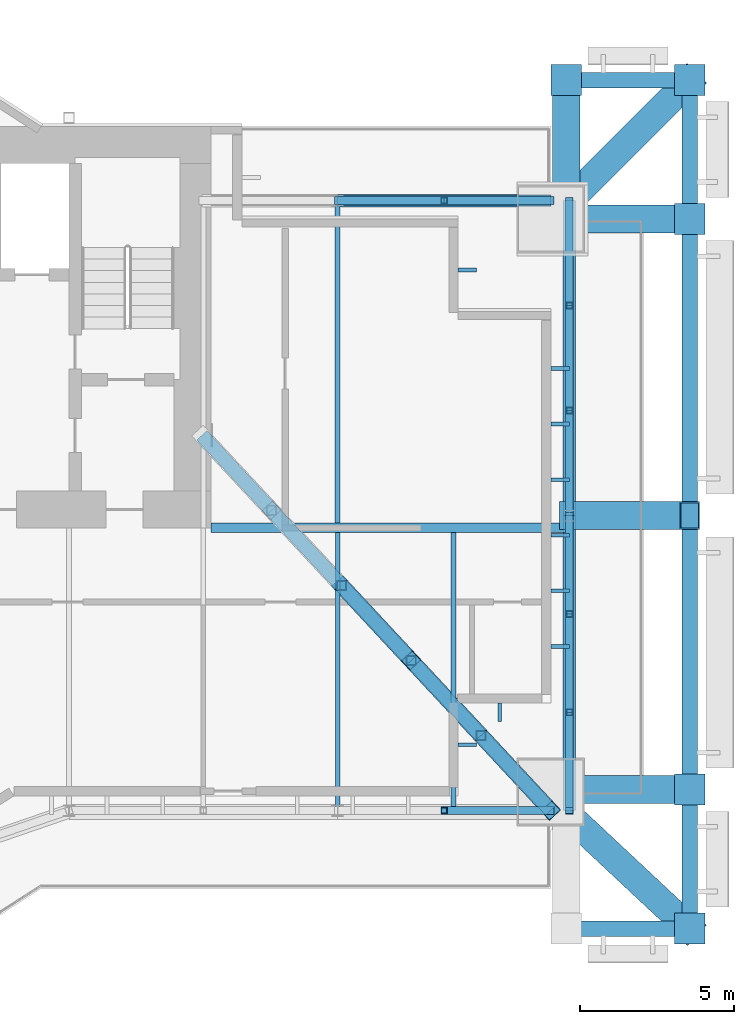
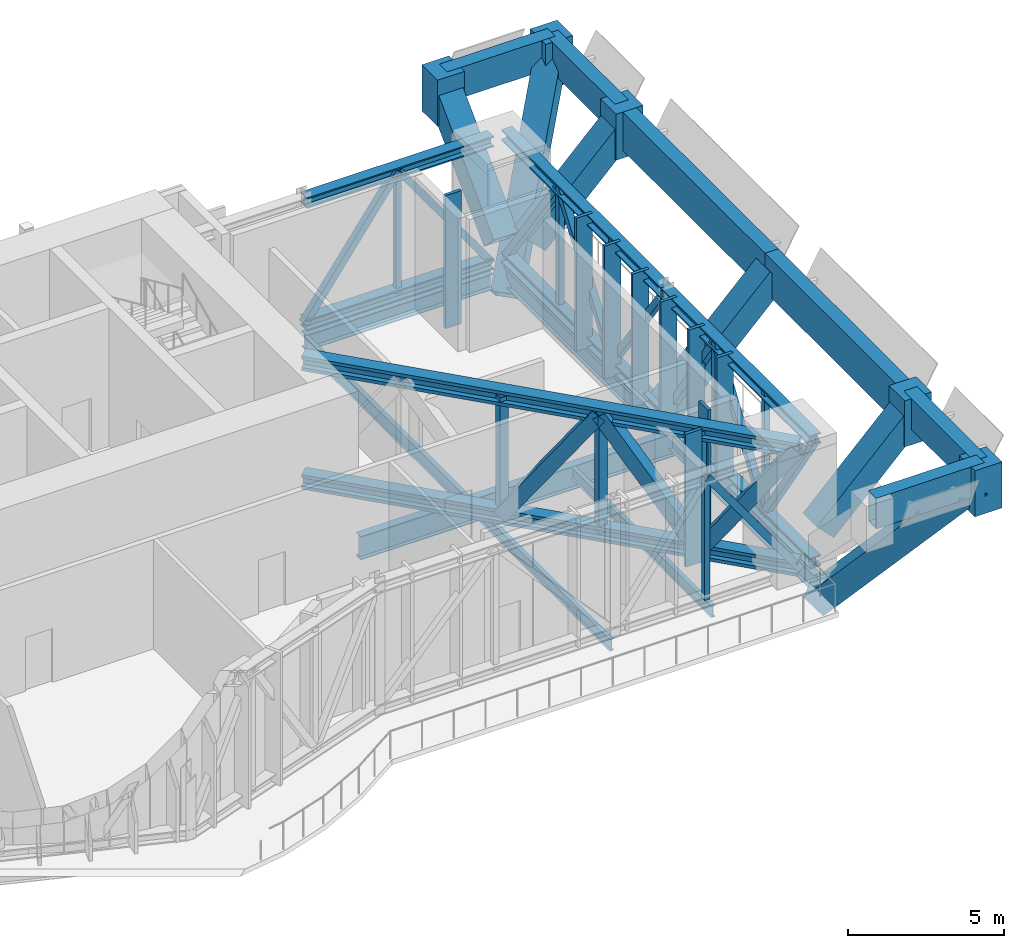
# One storey, part 9 of 20: 49 members, 13 beams, 1 element without a shape of its own.
"""IFC4 building model written with IfcOpenShell, lengths in metres."""

import ifcopenshell
import ifcopenshell.guid

model = None  # the IFC model being written
_history = None  # IfcOwnerHistory: only IFC2X3 demands one
_inside = {}  # id of a spatial element -> (the spatial element, [elements in it])
_under = {}  # id of a project, library or spatial element -> (it, [spatial elements below it])
_declared = {}  # id of a project -> (the project, [libraries it declares])
_typed = {}  # id of a type object -> (the type object, [elements of that type])
_made_of = {}  # id of a material, layer set ... -> (it, [elements and type objects made of it])


def new_model(schema):
    """Start an empty IFC model of exactly this schema.

    Asked for "IFC4X3", IfcOpenShell would pick the latest addendum, in which some entities
    have other attributes; the version numbers below select the first issue.
    IFC2X3 requires an IfcOwnerHistory on every rooted entity: one is made here for all.
    """
    global model, _history
    if schema == "IFC4X3":
        model = ifcopenshell.file(schema_version=(4, 3, 0, 0))
    else:
        model = ifcopenshell.file(schema=schema)
    _inside.clear()
    _under.clear()
    _declared.clear()
    _typed.clear()
    _made_of.clear()
    _history = None
    if model.schema == "IFC2X3":
        org = make("IfcOrganization", Name="unknown")
        user = make(
            "IfcPersonAndOrganization",
            ThePerson=make("IfcPerson", FamilyName="unknown"),
            TheOrganization=org,
        )
        app = make(
            "IfcApplication",
            ApplicationDeveloper=org,
            Version="unknown",
            ApplicationFullName="unknown",
            ApplicationIdentifier="unknown",
        )
        _history = make(
            "IfcOwnerHistory",
            OwningUser=user,
            OwningApplication=app,
            ChangeAction="ADDED",
            CreationDate=0,
        )
    return model


def make(cls, **values):
    """One entity of the class cls with the attributes given. An attribute that is None is left unset."""
    return model.create_entity(
        cls, **{name: value for name, value in values.items() if value is not None}
    )


def rooted(cls, **values):
    """An entity with a GlobalId (a new one), such as an element, a storey or a relation."""
    return make(cls, GlobalId=ifcopenshell.guid.new(), OwnerHistory=_history, **values)


def si_unit(unit_type, name, prefix=None):
    """IfcSIUnit, for example si_unit("LENGTHUNIT", "METRE", prefix="MILLI")."""
    return make("IfcSIUnit", UnitType=unit_type, Prefix=prefix, Name=name)


def assignment(units):
    """IfcUnitAssignment: the units of a project."""
    return None if units is None else make("IfcUnitAssignment", Units=units)


def point(xyz):
    """IfcCartesianPoint."""
    return None if xyz is None else make("IfcCartesianPoint", Coordinates=xyz)


def direction(xyz):
    """IfcDirection."""
    return None if xyz is None else make("IfcDirection", DirectionRatios=xyz)


def frame(location, z_axis=None, x_axis=None):
    """IfcAxis2Placement3D, a coordinate frame: its origin and axes. An axis left out is left unset."""
    return make(
        "IfcAxis2Placement3D",
        Location=point(location),
        Axis=direction(z_axis),
        RefDirection=direction(x_axis),
    )


def frame_2d(location, x_axis=None):
    """IfcAxis2Placement2D, a coordinate frame in the plane: its origin and x axis."""
    return make(
        "IfcAxis2Placement2D", Location=point(location), RefDirection=direction(x_axis)
    )


def origin():
    """The frame at (0, 0, 0) with its axes left unset."""
    return frame((0.0, 0.0, 0.0))


def origin_2d():
    """The frame at (0, 0) in the plane with its x axis left unset."""
    return frame_2d((0.0, 0.0))


def place(relative_to, where):
    """IfcLocalPlacement: puts the frame where relative to a parent placement (None: the world)."""
    return make(
        "IfcLocalPlacement", PlacementRelTo=relative_to, RelativePlacement=where
    )


def context(
    kind, dimensions, precision=None, world=None, true_north=None, identifier=None
):
    """IfcGeometricRepresentationContext, for example the 3D "Model" context."""
    return make(
        "IfcGeometricRepresentationContext",
        ContextIdentifier=identifier,
        ContextType=kind,
        CoordinateSpaceDimension=dimensions,
        Precision=precision,
        WorldCoordinateSystem=world,
        TrueNorth=true_north,
    )


def subcontext(parent, identifier, kind, view, scale=None):
    """IfcGeometricRepresentationSubContext, for example "Body" below "Model"."""
    return make(
        "IfcGeometricRepresentationSubContext",
        ContextIdentifier=identifier,
        ContextType=kind,
        ParentContext=parent,
        TargetScale=scale,
        TargetView=view,
    )


def project(units=None, contexts=None):
    """IfcProject with its units and contexts."""
    return rooted(
        "IfcProject",
        Name="project",
        RepresentationContexts=contexts,
        UnitsInContext=assignment(units),
    )


def spatial(cls, under=None, at=None, **own):
    """A site, building, storey or space (cls), placed at a placement, below another one or the project."""
    s = rooted(cls, ObjectPlacement=at, **own)
    if under is not None:
        _under.setdefault(under.id(), (under, []))[1].append(s)
    return s


def profile(cls, at=None, kind="AREA", **sizes):
    """A parametric profile (cls). Its sizes go by their IFC names, for example OverallWidth=200.0."""
    return make(cls, ProfileType=kind, Position=at, **sizes)


def rectangle(**sizes):
    """IfcRectangleProfileDef."""
    return profile("IfcRectangleProfileDef", **sizes)


def hollow_rectangle(**sizes):
    """IfcRectangleHollowProfileDef."""
    return profile("IfcRectangleHollowProfileDef", **sizes)


def i_section(**sizes):
    """IfcIShapeProfileDef."""
    return profile("IfcIShapeProfileDef", **sizes)


def extrude(swept, where, along, depth):
    """IfcExtrudedAreaSolid: the profile swept, set in the frame where, extruded along a direction by depth."""
    return make(
        "IfcExtrudedAreaSolid",
        SweptArea=swept,
        Position=where,
        ExtrudedDirection=direction(along),
        Depth=depth,
    )


def shape(context_of_items, identifier, shape_type, items):
    """IfcShapeRepresentation: the items that make up one representation, for example the "Body"."""
    return make(
        "IfcShapeRepresentation",
        ContextOfItems=context_of_items,
        RepresentationIdentifier=identifier,
        RepresentationType=shape_type,
        Items=items,
    )


def material(Name=None, Category=None):
    """IfcMaterial."""
    return make("IfcMaterial", Name=Name, Category=Category)


def material_profile(
    of_material, cross_section, Name=None, Category=None, Priority=None
):
    """IfcMaterialProfile: a cross section and its material."""
    return make(
        "IfcMaterialProfile",
        Name=Name,
        Material=of_material,
        Profile=cross_section,
        Priority=Priority,
        Category=Category,
    )


def profile_set(profiles, Name=None, composite=None):
    """IfcMaterialProfileSet."""
    return make(
        "IfcMaterialProfileSet",
        Name=Name,
        MaterialProfiles=profiles,
        CompositeProfile=composite,
    )


def made_of(thing, what):
    """Note that an element or type object is made of a material, layer set ...; save() writes the relation."""
    if what is not None:
        _made_of.setdefault(what.id(), (what, []))[1].append(thing)
    return thing


def type_object(cls, material=None, **own):
    """A type object (cls), such as IfcWallType, which elements share."""
    return made_of(rooted(cls, **own), material)


def element(
    cls,
    number,
    at=None,
    inside=None,
    cuts=None,
    type_object=None,
    material=None,
    context=None,
    identifier="Body",
    shape_type=None,
    held_by="IfcProductDefinitionShape",
    body=None,
    shapes=None,
    **own,
):
    """One element of the class cls, such as IfcWall. Its Tag is "e" and its number.

    at: its placement. inside: the storey or other place that contains it. cuts: it is an
    opening in that element (IfcRelVoidsElement). A single representation is given by context,
    identifier, shape_type and body (its items); several are given by shapes. held_by: the class
    of the entity that holds the representations. save() writes the other relations.
    """
    e = rooted(cls, Tag="e%d" % number, ObjectPlacement=at, **own)
    if body is not None:
        shapes = [shape(context, identifier, shape_type, body)]
    if shapes is not None:
        e.Representation = make(held_by, Representations=shapes)
    if inside is not None:
        _inside.setdefault(inside.id(), (inside, []))[1].append(e)
    if cuts is not None:
        rooted(
            "IfcRelVoidsElement", RelatingBuildingElement=cuts, RelatedOpeningElement=e
        )
    if type_object is not None:
        _typed.setdefault(type_object.id(), (type_object, []))[1].append(e)
    return made_of(e, material)


def aggregate(whole, parts):
    """IfcRelAggregates: a whole, such as a stair, and the parts it consists of."""
    return rooted("IfcRelAggregates", RelatingObject=whole, RelatedObjects=parts)


def save(model, path):
    """Write the relations noted so far, then the file.

    IfcRelAggregates (storeys below a building ...), IfcRelContainedInSpatialStructure (elements
    in a storey), IfcRelDefinesByType, IfcRelAssociatesMaterial and IfcRelDeclares: one each for
    every whole, place, type object, material and project.
    """
    for whole, parts in _under.values():
        aggregate(whole, parts)
    for where, things in _inside.values():
        rooted(
            "IfcRelContainedInSpatialStructure",
            RelatedElements=things,
            RelatingStructure=where,
        )
    for kind, things in _typed.values():
        rooted("IfcRelDefinesByType", RelatedObjects=things, RelatingType=kind)
    for what, things in _made_of.values():
        rooted("IfcRelAssociatesMaterial", RelatedObjects=things, RelatingMaterial=what)
    for by, libraries in _declared.values():
        rooted("IfcRelDeclares", RelatingContext=by, RelatedDefinitions=libraries)
    model.write(path)


model = new_model("IFC4")

# Units and contexts
model_context = context("Model", 3, precision=1e-05, world=origin(), true_north=direction((0.0, 1.0)))
body_context = subcontext(model_context, "Body", "Model", "MODEL_VIEW")
ifc_project = project(units=[si_unit("LENGTHUNIT", "METRE"), si_unit("AREAUNIT", "SQUARE_METRE"), si_unit("VOLUMEUNIT", "CUBIC_METRE"), si_unit("PLANEANGLEUNIT", "RADIAN"), si_unit("MASSUNIT", "GRAM", prefix="KILO")], contexts=[model_context])

# Site, building, storey
site_placement = place(None, origin())
site = spatial("IfcSite", under=ifc_project, at=site_placement, CompositionType="ELEMENT")
building_placement = place(site_placement, origin())
building = spatial("IfcBuilding", under=site, at=building_placement, Name="Bicima Exchange Tower", CompositionType="ELEMENT")
storey_placement = place(building_placement, frame((0.0, 0.0, 342.5)))
storey = spatial("IfcBuildingStorey", under=building, at=storey_placement, Name="L77", CompositionType="ELEMENT", Elevation=342.5)

# Curtain wall, members
ifc_material_1 = material(Name="Anodised bronze aluminium", Category="aluminium")
curtain_wall_type = type_object("IfcCurtainWallType", Name="Band blade screen", PredefinedType="NOTDEFINED", material=ifc_material_1)
curtain_wall_placement = place(storey_placement, origin())
curtain_wall = element("IfcCurtainWall", 1, at=curtain_wall_placement, inside=storey, type_object=curtain_wall_type, Name="Band blade screen L77", PredefinedType="NOTDEFINED")
ifc_material_profile_1 = material_profile(ifc_material_1, rectangle(XDim=0.60009765625, YDim=0.1201171875, at=origin_2d()))
ifc_profile_set_1 = profile_set([ifc_material_profile_1], Name="Anodised bronze aluminium")
member_type_1 = type_object("IfcMemberType", Name="Band blade fin 600 x 120", PredefinedType="USERDEFINED", material=ifc_profile_set_1)
member_1_placement = place(storey_placement, frame((33.300048828125, -16.837890625, 0.0), z_axis=(0.0, 0.0, 1.0), x_axis=(-1.0, 0.0, 0.0)))
member_1 = element("IfcMember", 2, at=member_1_placement, type_object=member_type_1, Name="Band blade fin 1", ObjectType="FIN", PredefinedType="USERDEFINED", context=body_context, shape_type="SweptSolid", body=[
    extrude(rectangle(XDim=0.60009765625, YDim=0.1201171875, at=origin_2d()), origin(), (0.0, 0.0, 1.0), 5.199951171875),
])
member_2_placement = place(storey_placement, frame((33.300048828125, -15.0380859375, 0.0), z_axis=(0.0, 0.0, 1.0), x_axis=(-1.0, 0.0, 0.0)))
member_2 = element("IfcMember", 3, at=member_2_placement, type_object=member_type_1, Name="Band blade fin 2", ObjectType="FIN", PredefinedType="USERDEFINED", context=body_context, shape_type="SweptSolid", body=[
    extrude(rectangle(XDim=0.60009765625, YDim=0.1201171875, at=origin_2d()), origin(), (0.0, 0.0, 1.0), 5.199951171875),
])
member_3_placement = place(storey_placement, frame((33.300048828125, -13.238037109375, 0.0), z_axis=(0.0, 0.0, 1.0), x_axis=(-1.0, 0.0, 0.0)))
member_3 = element("IfcMember", 4, at=member_3_placement, type_object=member_type_1, Name="Band blade fin 3", ObjectType="FIN", PredefinedType="USERDEFINED", context=body_context, shape_type="SweptSolid", body=[
    extrude(rectangle(XDim=0.60009765625, YDim=0.1201171875, at=origin_2d()), origin(), (0.0, 0.0, 1.0), 5.199951171875),
])
member_4_placement = place(storey_placement, frame((33.300048828125, -11.43798828125, 0.0), z_axis=(0.0, 0.0, 1.0), x_axis=(-1.0, 0.0, 0.0)))
member_4 = element("IfcMember", 5, at=member_4_placement, type_object=member_type_1, Name="Band blade fin 4", ObjectType="FIN", PredefinedType="USERDEFINED", context=body_context, shape_type="SweptSolid", body=[
    extrude(rectangle(XDim=0.60009765625, YDim=0.1201171875, at=origin_2d()), origin(), (0.0, 0.0, 1.0), 5.199951171875),
])
member_5_placement = place(storey_placement, frame((33.300048828125, -9.637939453125, 0.0), z_axis=(0.0, 0.0, 1.0), x_axis=(-1.0, 0.0, 0.0)))
member_5 = element("IfcMember", 6, at=member_5_placement, type_object=member_type_1, Name="Band blade fin 5", ObjectType="FIN", PredefinedType="USERDEFINED", context=body_context, shape_type="SweptSolid", body=[
    extrude(rectangle(XDim=0.60009765625, YDim=0.1201171875, at=origin_2d()), origin(), (0.0, 0.0, 1.0), 5.199951171875),
])
member_6_placement = place(storey_placement, frame((33.300048828125, -7.837890625, 0.0), z_axis=(0.0, 0.0, 1.0), x_axis=(-1.0, 0.0, 0.0)))
member_6 = element("IfcMember", 7, at=member_6_placement, type_object=member_type_1, Name="Band blade fin 6", ObjectType="FIN", PredefinedType="USERDEFINED", context=body_context, shape_type="SweptSolid", body=[
    extrude(rectangle(XDim=0.60009765625, YDim=0.1201171875, at=origin_2d()), origin(), (0.0, 0.0, 1.0), 5.199951171875),
])
member_7_placement = place(storey_placement, frame((30.300048828125, -4.64990234375, 0.0), z_axis=(0.0, 0.0, 1.0), x_axis=(-1.0, 0.0, 0.0)))
member_7 = element("IfcMember", 8, at=member_7_placement, type_object=member_type_1, Name="Band blade fin 7", ObjectType="FIN", PredefinedType="USERDEFINED", context=body_context, shape_type="SweptSolid", body=[
    extrude(rectangle(XDim=0.60009765625, YDim=0.1201171875, at=origin_2d()), origin(), (0.0, 0.0, 1.0), 5.199951171875),
])
member_8_placement = place(storey_placement, frame((30.300048828125, -20.02587890625, 0.0), z_axis=(0.0, 0.0, 1.0), x_axis=(-1.0, 0.0, 0.0)))
member_8 = element("IfcMember", 9, at=member_8_placement, type_object=member_type_1, Name="Band blade fin 51", ObjectType="FIN", PredefinedType="USERDEFINED", context=body_context, shape_type="SweptSolid", body=[
    extrude(rectangle(XDim=0.60009765625, YDim=0.1201171875, at=origin_2d()), origin(), (0.0, 0.0, 1.0), 5.199951171875),
])
member_9_placement = place(storey_placement, frame((31.35009765625, -18.97607421875, 0.0), z_axis=(0.0, 0.0, 1.0), x_axis=(0.0, 1.0, 0.0)))
member_9 = element("IfcMember", 10, at=member_9_placement, type_object=member_type_1, Name="Band blade fin 52", ObjectType="FIN", PredefinedType="USERDEFINED", context=body_context, shape_type="SweptSolid", body=[
    extrude(rectangle(XDim=0.60009765625, YDim=0.1201171875, at=origin_2d()), origin(), (0.0, 0.0, 1.0), 5.199951171875),
])
aggregate(curtain_wall, [member_1, member_2, member_3, member_4, member_5, member_6, member_7, member_8, member_9])

# Beams
ifc_material_2 = material(Name="Steel ASTM A572 Gr 50", Category="steel")
ifc_material_profile_2 = material_profile(ifc_material_2, hollow_rectangle(XDim=0.5, YDim=1.199951171875, WallThickness=0.0400390625, at=origin_2d()))
ifc_profile_set_2 = profile_set([ifc_material_profile_2], Name="Steel ASTM A572 Gr 50")
beam_type_1 = type_object("IfcBeamType", Name="Belt girder BOX 500x1200x40", PredefinedType="BEAM", material=ifc_profile_set_2)
beam_1_placement = place(storey_placement, frame((33.5, -25.974853515625, 4.60009765625), z_axis=(1.0, 0.0, 0.0), x_axis=(0.0, 1.0, 0.0)))
element("IfcBeam", 11, at=beam_1_placement, inside=storey, type_object=beam_type_1, Name="Belt girder", PredefinedType="BEAM", context=body_context, shape_type="SweptSolid", body=[
    extrude(hollow_rectangle(XDim=0.5, YDim=1.199951171875, WallThickness=0.0400390625, at=origin_2d()), origin(), (0.0, 0.0, 1.0), 4.0),
])
for number, where, z_axis, x_axis, name in (
    (12, (37.5, -25.974853515625, 4.60009765625), (0.0, 1.0, 0.0), (-1.0, 0.0, 0.0), "Belt girder"),
    (13, (37.5, -3.0, 4.60009765625), (0.0, 1.0, 0.0), (-1.0, 0.0, 0.0), "Belt girder"),
):
    element("IfcBeam", number, at=place(storey_placement, frame(where, z_axis=z_axis, x_axis=x_axis)), inside=storey, type_object=beam_type_1, Name=name, PredefinedType="BEAM", context=body_context, shape_type="SweptSolid", body=[
        extrude(hollow_rectangle(XDim=0.5, YDim=1.199951171875, WallThickness=0.0400390625, at=origin_2d()), origin(), (0.0, 0.0, 1.0), 4.5),
    ])
beam_2_placement = place(storey_placement, frame((37.5, 1.5, 4.60009765625), z_axis=(-1.0, 0.0, 0.0), x_axis=(0.0, -1.0, 0.0)))
element("IfcBeam", 14, at=beam_2_placement, inside=storey, type_object=beam_type_1, Name="Belt girder", PredefinedType="BEAM", context=body_context, shape_type="SweptSolid", body=[
    extrude(hollow_rectangle(XDim=0.5, YDim=1.199951171875, WallThickness=0.0400390625, at=origin_2d()), origin(), (0.0, 0.0, 1.0), 4.0),
])
ifc_material_profile_3 = material_profile(ifc_material_2, hollow_rectangle(XDim=0.5, YDim=1.5, WallThickness=0.050048828125, at=origin_2d()))
ifc_profile_set_3 = profile_set([ifc_material_profile_3], Name="Steel ASTM A572 Gr 50")
beam_type_2 = type_object("IfcBeamType", Name="Belt girder BOX 500x1500x50", PredefinedType="BEAM", material=ifc_profile_set_3)
beam_3_placement = place(storey_placement, frame((37.5, -21.474853515625, 4.449951171875), z_axis=(0.0, 1.0, 0.0), x_axis=(-1.0, 0.0, 0.0)))
element("IfcBeam", 15, at=beam_3_placement, inside=storey, type_object=beam_type_2, Name="Belt girder", PredefinedType="BEAM", context=body_context, shape_type="SweptSolid", body=[
    extrude(hollow_rectangle(XDim=0.5, YDim=1.5, WallThickness=0.050048828125, at=origin_2d()), origin(), (0.0, 0.0, 1.0), 8.874755859375),
])
beam_4_placement = place(storey_placement, frame((37.5, -12.60009765625, 4.449951171875), z_axis=(0.0, 1.0, 0.0), x_axis=(-1.0, 0.0, 0.0)))
element("IfcBeam", 16, at=beam_4_placement, inside=storey, type_object=beam_type_2, Name="Belt girder", PredefinedType="BEAM", context=body_context, shape_type="SweptSolid", body=[
    extrude(hollow_rectangle(XDim=0.5, YDim=1.5, WallThickness=0.050048828125, at=origin_2d()), origin(), (0.0, 0.0, 1.0), 9.60009765625),
])

# Members
ifc_material_3 = material(Name="Steel ASTM A992 Gr 50", Category="steel")
ifc_material_profile_4 = material_profile(ifc_material_3, i_section(OverallWidth=0.406494140625, OverallDepth=0.41650390625, WebThickness=0.030029296875, FlangeThickness=0.048095703125, at=origin_2d()))
ifc_profile_set_4 = profile_set([ifc_material_profile_4], Name="Steel ASTM A992 Gr 50")
member_type_2 = type_object("IfcMemberType", Name="Belt truss chord W14x257", PredefinedType="CHORD", material=ifc_profile_set_4)
for number, where, z_axis, x_axis, name in (
    (17, (26.10009765625, -2.39990234375, 4.99169921875), (1.0, 0.0, 0.0), (0.0, 1.0, 0.0), "Top chord"),
    (18, (26.10009765625, -2.39990234375, 0.208251953125), (1.0, 0.0, 0.0), (0.0, 1.0, 0.0), "Bottom chord"),
):
    element("IfcMember", number, at=place(storey_placement, frame(where, z_axis=z_axis, x_axis=x_axis)), inside=storey, type_object=member_type_2, Name=name, PredefinedType="CHORD", context=body_context, shape_type="SweptSolid", body=[
        extrude(i_section(OverallWidth=0.406494140625, OverallDepth=0.41650390625, WebThickness=0.030029296875, FlangeThickness=0.048095703125, at=origin_2d()), origin(), (0.0, 0.0, 1.0), 6.89990234375),
    ])
for number, where, z_axis, x_axis, name in (
    (19, (33.60009765625, -2.39990234375, 4.99169921875), (0.0, -1.0, 0.0), (1.0, 0.0, 0.0), "Top chord"),
    (20, (33.60009765625, -2.39990234375, 0.208251953125), (0.0, -1.0, 0.0), (1.0, 0.0, 0.0), "Bottom chord"),
):
    element("IfcMember", number, at=place(storey_placement, frame(where, z_axis=z_axis, x_axis=x_axis)), inside=storey, type_object=member_type_2, Name=name, PredefinedType="CHORD", context=body_context, shape_type="SweptSolid", body=[
        extrude(i_section(OverallWidth=0.406494140625, OverallDepth=0.41650390625, WebThickness=0.030029296875, FlangeThickness=0.048095703125, at=origin_2d()), origin(), (0.0, 0.0, 1.0), 10.2001953125),
    ])
for number, where, z_axis, x_axis, name in (
    (21, (33.60009765625, -12.60009765625, 4.99169921875), (0.0, -1.0, 0.0), (1.0, 0.0, 0.0), "Top chord"),
    (22, (33.60009765625, -12.60009765625, 0.208251953125), (0.0, -1.0, 0.0), (1.0, 0.0, 0.0), "Bottom chord"),
):
    element("IfcMember", number, at=place(storey_placement, frame(where, z_axis=z_axis, x_axis=x_axis)), inside=storey, type_object=member_type_2, Name=name, PredefinedType="CHORD", context=body_context, shape_type="SweptSolid", body=[
        extrude(i_section(OverallWidth=0.406494140625, OverallDepth=0.41650390625, WebThickness=0.030029296875, FlangeThickness=0.048095703125, at=origin_2d()), origin(), (0.0, 0.0, 1.0), 9.553955078125),
    ])
ifc_material_profile_5 = material_profile(ifc_material_2, hollow_rectangle(XDim=0.25390625, YDim=0.25390625, WallThickness=0.01171875, at=origin_2d()))
ifc_profile_set_5 = profile_set([ifc_material_profile_5], Name="Steel ASTM A572 Gr 50")
member_type_3 = type_object("IfcMemberType", Name="Belt truss diagonal HSS10x10x1/2", PredefinedType="STRUT", material=ifc_profile_set_5)
for number, where, z_axis, x_axis, name in (
    (23, (29.550048828125, -22.154052734375, 4.99169921875), (0.584959927831, 0.0, -0.811062194182), (0.0, 1.0, 0.0), "Truss diagonal"),
    (24, (26.10009765625, -2.39990234375, 0.208251953125), (0.584959927831, 0.0, 0.811062194182), (0.0, 1.0, 0.0), "Truss diagonal"),
    (25, (29.550048828125, -2.39990234375, 4.99169921875), (0.584959927831, 0.0, -0.811062194182), (0.0, 1.0, 0.0), "Truss diagonal"),
):
    element("IfcMember", number, at=place(storey_placement, frame(where, z_axis=z_axis, x_axis=x_axis)), inside=storey, type_object=member_type_3, Name=name, PredefinedType="STRUT", context=body_context, shape_type="SweptSolid", body=[
        extrude(hollow_rectangle(XDim=0.25390625, YDim=0.25390625, WallThickness=0.01171875, at=origin_2d()), origin(), (0.0, 0.0, 1.0), 5.897705078125),
    ])
for number, where, z_axis, x_axis, name in (
    (26, (33.60009765625, -2.39990234375, 0.208251953125), (0.0, -0.579363528427, 0.815069262043), (1.0, 0.0, 0.0), "Truss diagonal"),
    (27, (33.60009765625, -5.800048828125, 4.99169921875), (0.0, -0.579335890956, -0.81508890647), (1.0, 0.0, 0.0), "Truss diagonal"),
    (28, (33.60009765625, -9.199951171875, 0.208251953125), (0.0, -0.579363528427, 0.815069262043), (1.0, 0.0, 0.0), "Truss diagonal"),
):
    element("IfcMember", number, at=place(storey_placement, frame(where, z_axis=z_axis, x_axis=x_axis)), inside=storey, type_object=member_type_3, Name=name, PredefinedType="STRUT", context=body_context, shape_type="SweptSolid", body=[
        extrude(hollow_rectangle(XDim=0.25390625, YDim=0.25390625, WallThickness=0.01171875, at=origin_2d()), origin(), (0.0, 0.0, 1.0), 5.86865234375),
    ])
for number, where, z_axis, x_axis, name in (
    (29, (33.60009765625, -12.60009765625, 0.208251953125), (0.0, -0.554170658991, 0.832403075867), (1.0, 0.0, 0.0), "Truss diagonal"),
    (30, (33.60009765625, -15.78466796875, 4.99169921875), (0.0, -0.554170658991, -0.832403075867), (1.0, 0.0, 0.0), "Truss diagonal"),
    (31, (33.60009765625, -18.96923828125, 0.208251953125), (0.0, -0.554200095395, 0.83238347789), (1.0, 0.0, 0.0), "Truss diagonal"),
):
    element("IfcMember", number, at=place(storey_placement, frame(where, z_axis=z_axis, x_axis=x_axis)), inside=storey, type_object=member_type_3, Name=name, PredefinedType="STRUT", context=body_context, shape_type="SweptSolid", body=[
        extrude(hollow_rectangle(XDim=0.25390625, YDim=0.25390625, WallThickness=0.01171875, at=origin_2d()), origin(), (0.0, 0.0, 1.0), 5.74658203125),
    ])
ifc_material_profile_6 = material_profile(ifc_material_2, hollow_rectangle(XDim=0.203125, YDim=0.203125, WallThickness=0.01171875, at=origin_2d()))
ifc_profile_set_6 = profile_set([ifc_material_profile_6], Name="Steel ASTM A572 Gr 50")
member_type_4 = type_object("IfcMemberType", Name="Belt truss post HSS8x8x1/2", PredefinedType="POST", material=ifc_profile_set_6)
for number, where, z_axis, x_axis, name in (
    (32, (29.550048828125, -22.154052734375, 0.208251953125), (0.0, 0.0, 1.0), (1.0, 0.0, 0.0), "Truss post"),
    (33, (29.550048828125, -2.39990234375, 0.208251953125), (0.0, 0.0, 1.0), (1.0, 0.0, 0.0), "Truss post"),
    (34, (33.60009765625, -5.800048828125, 0.208251953125), (0.0, 0.0, 1.0), (1.0, 0.0, 0.0), "Truss post"),
    (35, (33.60009765625, -9.199951171875, 0.208251953125), (0.0, 0.0, 1.0), (1.0, 0.0, 0.0), "Truss post"),
    (36, (33.60009765625, -15.78466796875, 0.208251953125), (0.0, 0.0, 1.0), (1.0, 0.0, 0.0), "Truss post"),
    (37, (33.60009765625, -18.96923828125, 0.208251953125), (0.0, 0.0, 1.0), (1.0, 0.0, 0.0), "Truss post"),
):
    element("IfcMember", number, at=place(storey_placement, frame(where, z_axis=z_axis, x_axis=x_axis)), inside=storey, type_object=member_type_4, Name=name, PredefinedType="POST", context=body_context, shape_type="SweptSolid", body=[
        extrude(hollow_rectangle(XDim=0.203125, YDim=0.203125, WallThickness=0.01171875, at=origin_2d()), origin(), (0.0, 0.0, 1.0), 4.783447265625),
    ])

# Beams
ifc_material_profile_7 = material_profile(ifc_material_3, i_section(OverallWidth=0.3046875, OverallDepth=0.911865234375, WebThickness=0.015869140625, FlangeThickness=0.02392578125, at=origin_2d()))
ifc_profile_set_7 = profile_set([ifc_material_profile_7], Name="Steel ASTM A992 Gr 50")
beam_type_3 = type_object("IfcBeamType", Name="Core-line girder W36x150", PredefinedType="BEAM", material=ifc_profile_set_7)
beam_5_placement = place(storey_placement, frame((22.0, -13.0, -0.656005859375), z_axis=(1.0, 0.0, 0.0), x_axis=(0.0, 1.0, 0.0)))
element("IfcBeam", 38, at=beam_5_placement, inside=storey, type_object=beam_type_3, Name="Core-line girder", PredefinedType="BEAM", context=body_context, shape_type="SweptSolid", body=[
    extrude(i_section(OverallWidth=0.3046875, OverallDepth=0.911865234375, WebThickness=0.015869140625, FlangeThickness=0.02392578125, at=origin_2d()), origin(), (0.0, 0.0, 1.0), 11.60009765625),
])
ifc_material_profile_8 = material_profile(ifc_material_3, i_section(OverallWidth=0.256591796875, OverallDepth=0.693359375, WebThickness=0.014404296875, FlangeThickness=0.023681640625, at=origin_2d()))
ifc_profile_set_8 = profile_set([ifc_material_profile_8], Name="Steel ASTM A992 Gr 50")
beam_type_4 = type_object("IfcBeamType", Name="End girder W27x114", PredefinedType="BEAM", material=ifc_profile_set_8)
beam_6_placement = place(storey_placement, frame((33.60009765625, -2.39990234375, -0.546630859375), z_axis=(0.0, -1.0, 0.0), x_axis=(1.0, 0.0, 0.0)))
element("IfcBeam", 39, at=beam_6_placement, inside=storey, type_object=beam_type_4, Name="End girder", PredefinedType="BEAM", context=body_context, shape_type="SweptSolid", body=[
    extrude(i_section(OverallWidth=0.256591796875, OverallDepth=0.693359375, WebThickness=0.014404296875, FlangeThickness=0.023681640625, at=origin_2d()), origin(), (0.0, 0.0, 1.0), 10.2001953125),
])
beam_7_placement = place(storey_placement, frame((33.60009765625, -12.60009765625, -0.546630859375), z_axis=(0.0, -1.0, 0.0), x_axis=(1.0, 0.0, 0.0)))
element("IfcBeam", 40, at=beam_7_placement, inside=storey, type_object=beam_type_4, Name="End girder", PredefinedType="BEAM", context=body_context, shape_type="SweptSolid", body=[
    extrude(i_section(OverallWidth=0.256591796875, OverallDepth=0.693359375, WebThickness=0.014404296875, FlangeThickness=0.023681640625, at=origin_2d()), origin(), (0.0, 0.0, 1.0), 9.67578125),
])

# Members
ifc_material_4 = material(Name="Cast steel ASTM A216 Gr WCB", Category="steel")
ifc_material_profile_9 = material_profile(ifc_material_4, rectangle(XDim=1.0, YDim=1.0, at=origin_2d()))
ifc_profile_set_9 = profile_set([ifc_material_profile_9], Name="Cast steel ASTM A216 Gr WCB")
member_type_5 = type_object("IfcMemberType", Name="Exo node block", PredefinedType="POST", material=ifc_profile_set_9)
for number, where, z_axis, x_axis, name in (
    (41, (37.5, -25.974853515625, 3.39990234375), (0.0, 0.0, 1.0), (1.0, 0.0, 0.0), "Exo node block"),
    (42, (37.5, -21.474853515625, 3.39990234375), (0.0, 0.0, 1.0), (1.0, 0.0, 0.0), "Exo node block"),
    (43, (37.5, -3.0, 3.39990234375), (0.0, 0.0, 1.0), (1.0, 0.0, 0.0), "Exo node block"),
    (44, (37.5, 1.5, 3.39990234375), (0.0, 0.0, 1.0), (1.0, 0.0, 0.0), "Exo node block"),
    (45, (33.5, 1.5, 3.39990234375), (0.0, 0.0, 1.0), (1.0, 0.0, 0.0), "Exo node block"),
):
    element("IfcMember", number, at=place(storey_placement, frame(where, z_axis=z_axis, x_axis=x_axis)), inside=storey, type_object=member_type_5, Name=name, PredefinedType="POST", context=body_context, shape_type="SweptSolid", body=[
        extrude(rectangle(XDim=1.0, YDim=1.0, at=origin_2d()), origin(), (0.0, 0.0, 1.0), 1.800048828125),
    ])
ifc_material_profile_10 = material_profile(ifc_material_2, hollow_rectangle(XDim=0.89990234375, YDim=0.89990234375, WallThickness=0.050048828125, at=origin_2d()))
ifc_profile_set_10 = profile_set([ifc_material_profile_10], Name="Steel ASTM A572 Gr 50")
member_type_6 = type_object("IfcMemberType", Name="Exo outrigger stub BOX 900x900x50", PredefinedType="STRUT", material=ifc_profile_set_10)
member_10_placement = place(storey_placement, frame((33.565673828125, -22.293212890625, -1.138427734375), z_axis=(0.506808187845, -0.474257987757, 0.71987833818), x_axis=(0.683270143381, 0.730165673779, 0.0)))
element("IfcMember", 46, at=member_10_placement, inside=storey, type_object=member_type_6, Name="Exo outrigger stub", PredefinedType="STRUT", context=body_context, shape_type="SweptSolid", body=[
    extrude(hollow_rectangle(XDim=0.89990234375, YDim=0.89990234375, WallThickness=0.050048828125, at=origin_2d()), origin(), (0.0, 0.0, 1.0), 7.762939453125),
])
member_11_placement = place(storey_placement, frame((34.10009765625, -21.474853515625, 1.050048828125), z_axis=(0.707106781187, 0.0, 0.707106781187), x_axis=(0.0, 1.0, 0.0)))
element("IfcMember", 47, at=member_11_placement, inside=storey, type_object=member_type_6, Name="Exo outrigger stub", PredefinedType="STRUT", context=body_context, shape_type="SweptSolid", body=[
    extrude(hollow_rectangle(XDim=0.89990234375, YDim=0.89990234375, WallThickness=0.050048828125, at=origin_2d()), origin(), (0.0, 0.0, 1.0), 4.80810546875),
])
member_12_placement = place(storey_placement, frame((33.60009765625, -12.60009765625, 0.550048828125), z_axis=(0.707106781187, 0.0, 0.707106781187), x_axis=(0.0, 1.0, 0.0)))
element("IfcMember", 48, at=member_12_placement, inside=storey, type_object=member_type_6, Name="Exo outrigger stub", PredefinedType="STRUT", context=body_context, shape_type="SweptSolid", body=[
    extrude(hollow_rectangle(XDim=0.89990234375, YDim=0.89990234375, WallThickness=0.050048828125, at=origin_2d()), origin(), (0.0, 0.0, 1.0), 5.515380859375),
])
member_13_placement = place(storey_placement, frame((34.10009765625, -3.0, 1.050048828125), z_axis=(0.707106781187, 0.0, 0.707106781187), x_axis=(0.0, 1.0, 0.0)))
element("IfcMember", 49, at=member_13_placement, inside=storey, type_object=member_type_6, Name="Exo outrigger stub", PredefinedType="STRUT", context=body_context, shape_type="SweptSolid", body=[
    extrude(hollow_rectangle(XDim=0.89990234375, YDim=0.89990234375, WallThickness=0.050048828125, at=origin_2d()), origin(), (0.0, 0.0, 1.0), 4.80810546875),
])
member_14_placement = place(storey_placement, frame((33.565673828125, -2.434326171875, -1.31396484375), z_axis=(0.491098455034, 0.491098455034, 0.719475235798), x_axis=(-0.707106781187, 0.707106781187, 0.0)))
element("IfcMember", 50, at=member_14_placement, inside=storey, type_object=member_type_6, Name="Exo outrigger stub", PredefinedType="STRUT", context=body_context, shape_type="SweptSolid", body=[
    extrude(hollow_rectangle(XDim=0.89990234375, YDim=0.89990234375, WallThickness=0.050048828125, at=origin_2d()), origin(), (0.0, 0.0, 1.0), 8.01123046875),
])
member_15_placement = place(storey_placement, frame((33.5, -2.199951171875, 0.75), z_axis=(0.0, 0.707106781187, 0.707106781187), x_axis=(-1.0, 0.0, 0.0)))
element("IfcMember", 51, at=member_15_placement, inside=storey, type_object=member_type_6, Name="Exo outrigger stub", PredefinedType="STRUT", context=body_context, shape_type="SweptSolid", body=[
    extrude(hollow_rectangle(XDim=0.89990234375, YDim=0.89990234375, WallThickness=0.050048828125, at=origin_2d()), origin(), (0.0, 0.0, 1.0), 5.232421875),
])

# Beams
ifc_material_profile_11 = material_profile(ifc_material_3, i_section(OverallWidth=0.15283203125, OverallDepth=0.45458984375, WebThickness=0.008056640625, FlangeThickness=0.013427734375, at=origin_2d()))
ifc_profile_set_11 = profile_set([ifc_material_profile_11], Name="Steel ASTM A992 Gr 50")
beam_type_5 = type_object("IfcBeamType", Name="Floor beam W18x40", PredefinedType="JOIST", material=ifc_profile_set_11)
for number, where, z_axis, x_axis, name in (
    (52, (26.10009765625, -13.15234375, -0.42724609375), (0.0, -1.0, 0.0), (1.0, 0.0, 0.0), "Floor beam"),
    (53, (29.85009765625, -13.15234375, -0.42724609375), (0.0, -1.0, 0.0), (1.0, 0.0, 0.0), "Floor beam"),
):
    element("IfcBeam", number, at=place(storey_placement, frame(where, z_axis=z_axis, x_axis=x_axis)), inside=storey, type_object=beam_type_5, Name=name, PredefinedType="JOIST", context=body_context, shape_type="SweptSolid", body=[
        extrude(i_section(OverallWidth=0.15283203125, OverallDepth=0.45458984375, WebThickness=0.008056640625, FlangeThickness=0.013427734375, at=origin_2d()), origin(), (0.0, 0.0, 1.0), 8.9609375),
    ])
ifc_material_profile_12 = material_profile(ifc_material_3, i_section(OverallWidth=0.165771484375, OverallDepth=0.5283203125, WebThickness=0.009765625, FlangeThickness=0.013671875, at=origin_2d()))
ifc_profile_set_12 = profile_set([ifc_material_profile_12], Name="Steel ASTM A992 Gr 50")
beam_type_6 = type_object("IfcBeamType", Name="Floor beam W21x50", PredefinedType="JOIST", material=ifc_profile_set_12)
beam_8_placement = place(storey_placement, frame((26.10009765625, -2.5625, -0.464111328125), z_axis=(0.0, -1.0, 0.0), x_axis=(1.0, 0.0, 0.0)))
element("IfcBeam", 54, at=beam_8_placement, inside=storey, type_object=beam_type_6, Name="Floor beam", PredefinedType="JOIST", context=body_context, shape_type="SweptSolid", body=[
    extrude(i_section(OverallWidth=0.165771484375, OverallDepth=0.5283203125, WebThickness=0.009765625, FlangeThickness=0.013671875, at=origin_2d()), origin(), (0.0, 0.0, 1.0), 10.28515625),
])

# Members
ifc_material_profile_13 = material_profile(ifc_material_3, i_section(OverallWidth=0.45458984375, OverallDepth=0.56884765625, WebThickness=0.077880859375, FlangeThickness=0.124755859375, at=origin_2d()))
ifc_profile_set_13 = profile_set([ifc_material_profile_13], Name="Steel ASTM A992 Gr 50")
member_type_7 = type_object("IfcMemberType", Name="Outrigger truss chord W14x730", PredefinedType="CHORD", material=ifc_profile_set_13)
for number, where, z_axis, x_axis, name in (
    (55, (21.699951171875, -10.0, 4.91552734375), (0.680908586233, -0.7323684163, 0.0), (0.7323684163, 0.680908586233, 0.0), "Top chord"),
    (56, (21.699951171875, -10.0, 0.284423828125), (0.680908586233, -0.7323684163, 0.0), (0.7323684163, 0.680908586233, 0.0), "Bottom chord"),
):
    element("IfcMember", number, at=place(storey_placement, frame(where, z_axis=z_axis, x_axis=x_axis)), inside=storey, type_object=member_type_7, Name=name, PredefinedType="CHORD", context=body_context, shape_type="SweptSolid", body=[
        extrude(i_section(OverallWidth=0.45458984375, OverallDepth=0.56884765625, WebThickness=0.077880859375, FlangeThickness=0.124755859375, at=origin_2d()), origin(), (0.0, 0.0, 1.0), 16.595458984375),
    ])
ifc_material_profile_14 = material_profile(ifc_material_2, hollow_rectangle(XDim=0.508056640625, YDim=0.508056640625, WallThickness=0.017822265625, at=origin_2d()))
ifc_profile_set_14 = profile_set([ifc_material_profile_14], Name="Steel ASTM A572 Gr 50")
member_type_8 = type_object("IfcMemberType", Name="Outrigger truss diagonal HSS20x20x3/4", PredefinedType="STRUT", material=ifc_profile_set_14)
member_16_placement = place(storey_placement, frame((26.219970703125, -14.861572265625, 0.284423828125), z_axis=(0.396651202403, -0.426645351877, 0.812798601964), x_axis=(0.732382057172, 0.680893914155, 0.0)))
element("IfcMember", 57, at=member_16_placement, inside=storey, type_object=member_type_8, Name="Truss diagonal", PredefinedType="STRUT", context=body_context, shape_type="SweptSolid", body=[
    extrude(hollow_rectangle(XDim=0.508056640625, YDim=0.508056640625, WallThickness=0.017822265625, at=origin_2d()), origin(), (0.0, 0.0, 1.0), 5.69775390625),
])
member_17_placement = place(storey_placement, frame((28.47998046875, -17.29248046875, 4.91552734375), z_axis=(0.396658453511, -0.426610301735, -0.812813460587), x_axis=(0.732347953339, 0.680930595024, 0.0)))
element("IfcMember", 58, at=member_17_placement, inside=storey, type_object=member_type_8, Name="Truss diagonal", PredefinedType="STRUT", context=body_context, shape_type="SweptSolid", body=[
    extrude(hollow_rectangle(XDim=0.508056640625, YDim=0.508056640625, WallThickness=0.017822265625, at=origin_2d()), origin(), (0.0, 0.0, 1.0), 5.697509765625),
])
member_18_placement = place(storey_placement, frame((30.739990234375, -19.72314453125, 0.284423828125), z_axis=(0.396651202403, -0.426645351877, 0.812798601964), x_axis=(0.732382057172, 0.680893914155, 0.0)))
element("IfcMember", 59, at=member_18_placement, inside=storey, type_object=member_type_8, Name="Truss diagonal", PredefinedType="STRUT", context=body_context, shape_type="SweptSolid", body=[
    extrude(hollow_rectangle(XDim=0.508056640625, YDim=0.508056640625, WallThickness=0.017822265625, at=origin_2d()), origin(), (0.0, 0.0, 1.0), 5.69775390625),
])
ifc_material_profile_15 = material_profile(ifc_material_2, hollow_rectangle(XDim=0.3046875, YDim=0.3046875, WallThickness=0.01171875, at=origin_2d()))
ifc_profile_set_15 = profile_set([ifc_material_profile_15], Name="Steel ASTM A572 Gr 50")
member_type_9 = type_object("IfcMemberType", Name="Outrigger truss post HSS12x12x1/2", PredefinedType="POST", material=ifc_profile_set_15)
for number, where, z_axis, x_axis, name in (
    (60, (26.219970703125, -14.861572265625, 0.284423828125), (0.0, 0.0, 1.0), (1.0, 0.0, 0.0), "Truss post"),
    (61, (28.47998046875, -17.29248046875, 0.284423828125), (0.0, 0.0, 1.0), (1.0, 0.0, 0.0), "Truss post"),
    (62, (30.739990234375, -19.72314453125, 0.284423828125), (0.0, 0.0, 1.0), (1.0, 0.0, 0.0), "Truss post"),
):
    element("IfcMember", number, at=place(storey_placement, frame(where, z_axis=z_axis, x_axis=x_axis)), inside=storey, type_object=member_type_9, Name=name, PredefinedType="POST", context=body_context, shape_type="SweptSolid", body=[
        extrude(hollow_rectangle(XDim=0.3046875, YDim=0.3046875, WallThickness=0.01171875, at=origin_2d()), origin(), (0.0, 0.0, 1.0), 4.631103515625),
    ])

# Beam
ifc_material_profile_16 = material_profile(ifc_material_3, i_section(OverallWidth=0.3251953125, OverallDepth=0.612060546875, WebThickness=0.0126953125, FlangeThickness=0.01904296875, at=origin_2d()))
ifc_profile_set_16 = profile_set([ifc_material_profile_16], Name="Steel ASTM A992 Gr 50")
beam_type_7 = type_object("IfcBeamType", Name="Rear girder W24x104", PredefinedType="BEAM", material=ifc_profile_set_16)
beam_9_placement = place(storey_placement, frame((26.10009765625, -2.39990234375, -0.506103515625), z_axis=(1.0, 0.0, 0.0), x_axis=(0.0, 1.0, 0.0)))
element("IfcBeam", 63, at=beam_9_placement, inside=storey, type_object=beam_type_7, Name="Rear girder", PredefinedType="BEAM", context=body_context, shape_type="SweptSolid", body=[
    extrude(i_section(OverallWidth=0.3251953125, OverallDepth=0.612060546875, WebThickness=0.0126953125, FlangeThickness=0.01904296875, at=origin_2d()), origin(), (0.0, 0.0, 1.0), 6.89990234375),
])

save(model, "model.ifc")
